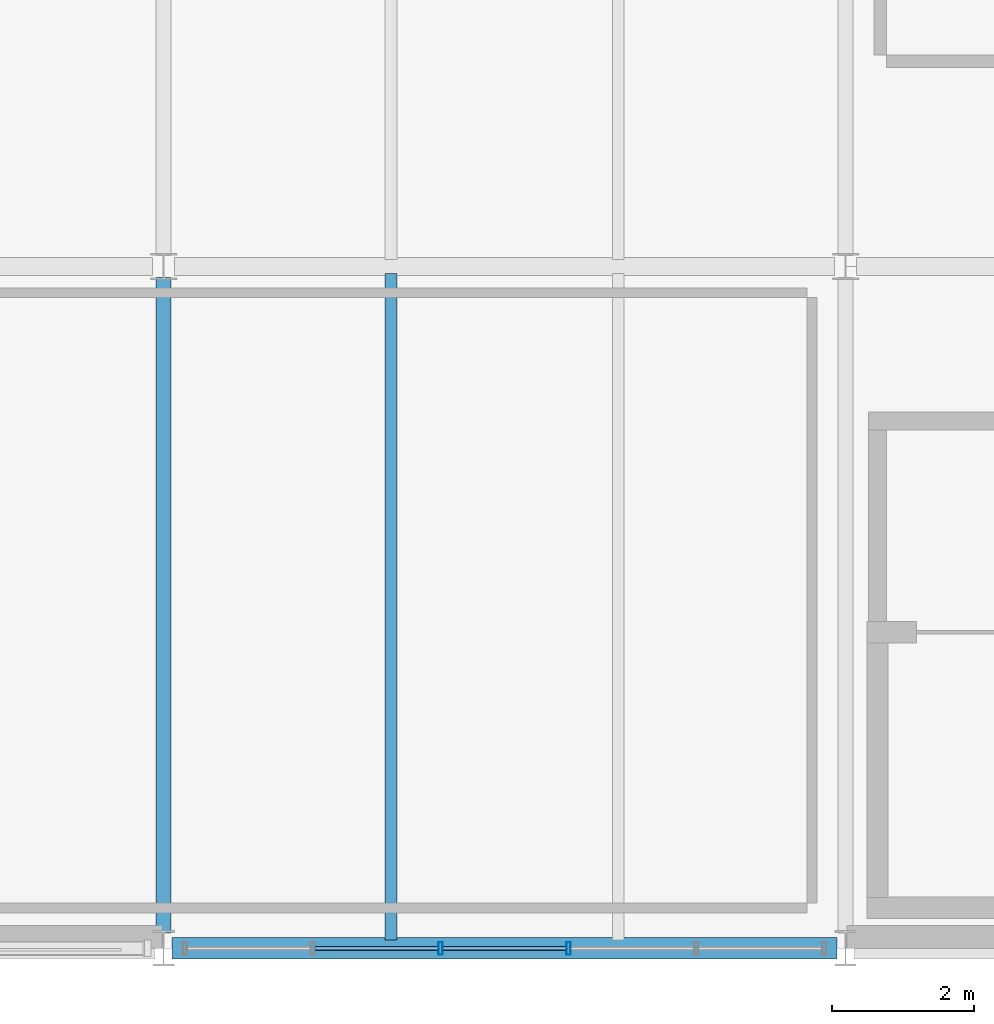
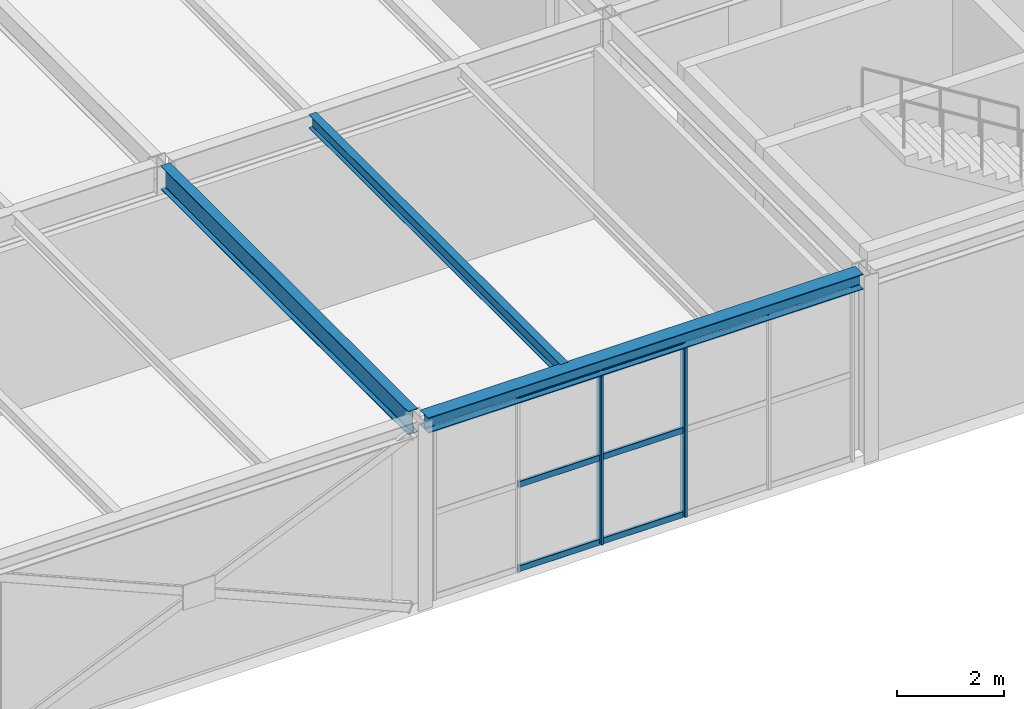
# One storey, part 17 of 170: 8 members, 3 beams, 1 element without a shape of its own.
"""IFC4 building model written with IfcOpenShell, lengths in metres."""

import ifcopenshell
import ifcopenshell.guid

model = None  # the IFC model being written
_history = None  # IfcOwnerHistory: only IFC2X3 demands one
_inside = {}  # id of a spatial element -> (the spatial element, [elements in it])
_under = {}  # id of a project, library or spatial element -> (it, [spatial elements below it])
_declared = {}  # id of a project -> (the project, [libraries it declares])
_typed = {}  # id of a type object -> (the type object, [elements of that type])
_made_of = {}  # id of a material, layer set ... -> (it, [elements and type objects made of it])


def new_model(schema):
    """Start an empty IFC model of exactly this schema.

    Asked for "IFC4X3", IfcOpenShell would pick the latest addendum, in which some entities
    have other attributes; the version numbers below select the first issue.
    IFC2X3 requires an IfcOwnerHistory on every rooted entity: one is made here for all.
    """
    global model, _history
    if schema == "IFC4X3":
        model = ifcopenshell.file(schema_version=(4, 3, 0, 0))
    else:
        model = ifcopenshell.file(schema=schema)
    _inside.clear()
    _under.clear()
    _declared.clear()
    _typed.clear()
    _made_of.clear()
    _history = None
    if model.schema == "IFC2X3":
        org = make("IfcOrganization", Name="unknown")
        user = make(
            "IfcPersonAndOrganization",
            ThePerson=make("IfcPerson", FamilyName="unknown"),
            TheOrganization=org,
        )
        app = make(
            "IfcApplication",
            ApplicationDeveloper=org,
            Version="unknown",
            ApplicationFullName="unknown",
            ApplicationIdentifier="unknown",
        )
        _history = make(
            "IfcOwnerHistory",
            OwningUser=user,
            OwningApplication=app,
            ChangeAction="ADDED",
            CreationDate=0,
        )
    return model


def make(cls, **values):
    """One entity of the class cls with the attributes given. An attribute that is None is left unset."""
    return model.create_entity(
        cls, **{name: value for name, value in values.items() if value is not None}
    )


def rooted(cls, **values):
    """An entity with a GlobalId (a new one), such as an element, a storey or a relation."""
    return make(cls, GlobalId=ifcopenshell.guid.new(), OwnerHistory=_history, **values)


def si_unit(unit_type, name, prefix=None):
    """IfcSIUnit, for example si_unit("LENGTHUNIT", "METRE", prefix="MILLI")."""
    return make("IfcSIUnit", UnitType=unit_type, Prefix=prefix, Name=name)


def assignment(units):
    """IfcUnitAssignment: the units of a project."""
    return None if units is None else make("IfcUnitAssignment", Units=units)


def point(xyz):
    """IfcCartesianPoint."""
    return None if xyz is None else make("IfcCartesianPoint", Coordinates=xyz)


def direction(xyz):
    """IfcDirection."""
    return None if xyz is None else make("IfcDirection", DirectionRatios=xyz)


def frame(location, z_axis=None, x_axis=None):
    """IfcAxis2Placement3D, a coordinate frame: its origin and axes. An axis left out is left unset."""
    return make(
        "IfcAxis2Placement3D",
        Location=point(location),
        Axis=direction(z_axis),
        RefDirection=direction(x_axis),
    )


def frame_2d(location, x_axis=None):
    """IfcAxis2Placement2D, a coordinate frame in the plane: its origin and x axis."""
    return make(
        "IfcAxis2Placement2D", Location=point(location), RefDirection=direction(x_axis)
    )


def origin():
    """The frame at (0, 0, 0) with its axes left unset."""
    return frame((0.0, 0.0, 0.0))


def origin_2d():
    """The frame at (0, 0) in the plane with its x axis left unset."""
    return frame_2d((0.0, 0.0))


def place(relative_to, where):
    """IfcLocalPlacement: puts the frame where relative to a parent placement (None: the world)."""
    return make(
        "IfcLocalPlacement", PlacementRelTo=relative_to, RelativePlacement=where
    )


def context(
    kind, dimensions, precision=None, world=None, true_north=None, identifier=None
):
    """IfcGeometricRepresentationContext, for example the 3D "Model" context."""
    return make(
        "IfcGeometricRepresentationContext",
        ContextIdentifier=identifier,
        ContextType=kind,
        CoordinateSpaceDimension=dimensions,
        Precision=precision,
        WorldCoordinateSystem=world,
        TrueNorth=true_north,
    )


def subcontext(parent, identifier, kind, view, scale=None):
    """IfcGeometricRepresentationSubContext, for example "Body" below "Model"."""
    return make(
        "IfcGeometricRepresentationSubContext",
        ContextIdentifier=identifier,
        ContextType=kind,
        ParentContext=parent,
        TargetScale=scale,
        TargetView=view,
    )


def project(units=None, contexts=None):
    """IfcProject with its units and contexts."""
    return rooted(
        "IfcProject",
        Name="project",
        RepresentationContexts=contexts,
        UnitsInContext=assignment(units),
    )


def spatial(cls, under=None, at=None, **own):
    """A site, building, storey or space (cls), placed at a placement, below another one or the project."""
    s = rooted(cls, ObjectPlacement=at, **own)
    if under is not None:
        _under.setdefault(under.id(), (under, []))[1].append(s)
    return s


def profile(cls, at=None, kind="AREA", **sizes):
    """A parametric profile (cls). Its sizes go by their IFC names, for example OverallWidth=200.0."""
    return make(cls, ProfileType=kind, Position=at, **sizes)


def hollow_rectangle(**sizes):
    """IfcRectangleHollowProfileDef."""
    return profile("IfcRectangleHollowProfileDef", **sizes)


def i_section(**sizes):
    """IfcIShapeProfileDef."""
    return profile("IfcIShapeProfileDef", **sizes)


def extrude(swept, where, along, depth):
    """IfcExtrudedAreaSolid: the profile swept, set in the frame where, extruded along a direction by depth."""
    return make(
        "IfcExtrudedAreaSolid",
        SweptArea=swept,
        Position=where,
        ExtrudedDirection=direction(along),
        Depth=depth,
    )


def shape(context_of_items, identifier, shape_type, items):
    """IfcShapeRepresentation: the items that make up one representation, for example the "Body"."""
    return make(
        "IfcShapeRepresentation",
        ContextOfItems=context_of_items,
        RepresentationIdentifier=identifier,
        RepresentationType=shape_type,
        Items=items,
    )


def material(Name=None, Category=None):
    """IfcMaterial."""
    return make("IfcMaterial", Name=Name, Category=Category)


def material_profile(
    of_material, cross_section, Name=None, Category=None, Priority=None
):
    """IfcMaterialProfile: a cross section and its material."""
    return make(
        "IfcMaterialProfile",
        Name=Name,
        Material=of_material,
        Profile=cross_section,
        Priority=Priority,
        Category=Category,
    )


def profile_set(profiles, Name=None, composite=None):
    """IfcMaterialProfileSet."""
    return make(
        "IfcMaterialProfileSet",
        Name=Name,
        MaterialProfiles=profiles,
        CompositeProfile=composite,
    )


def made_of(thing, what):
    """Note that an element or type object is made of a material, layer set ...; save() writes the relation."""
    if what is not None:
        _made_of.setdefault(what.id(), (what, []))[1].append(thing)
    return thing


def type_object(cls, material=None, **own):
    """A type object (cls), such as IfcWallType, which elements share."""
    return made_of(rooted(cls, **own), material)


def element(
    cls,
    number,
    at=None,
    inside=None,
    cuts=None,
    type_object=None,
    material=None,
    context=None,
    identifier="Body",
    shape_type=None,
    held_by="IfcProductDefinitionShape",
    body=None,
    shapes=None,
    **own,
):
    """One element of the class cls, such as IfcWall. Its Tag is "e" and its number.

    at: its placement. inside: the storey or other place that contains it. cuts: it is an
    opening in that element (IfcRelVoidsElement). A single representation is given by context,
    identifier, shape_type and body (its items); several are given by shapes. held_by: the class
    of the entity that holds the representations. save() writes the other relations.
    """
    e = rooted(cls, Tag="e%d" % number, ObjectPlacement=at, **own)
    if body is not None:
        shapes = [shape(context, identifier, shape_type, body)]
    if shapes is not None:
        e.Representation = make(held_by, Representations=shapes)
    if inside is not None:
        _inside.setdefault(inside.id(), (inside, []))[1].append(e)
    if cuts is not None:
        rooted(
            "IfcRelVoidsElement", RelatingBuildingElement=cuts, RelatedOpeningElement=e
        )
    if type_object is not None:
        _typed.setdefault(type_object.id(), (type_object, []))[1].append(e)
    return made_of(e, material)


def aggregate(whole, parts):
    """IfcRelAggregates: a whole, such as a stair, and the parts it consists of."""
    return rooted("IfcRelAggregates", RelatingObject=whole, RelatedObjects=parts)


def save(model, path):
    """Write the relations noted so far, then the file.

    IfcRelAggregates (storeys below a building ...), IfcRelContainedInSpatialStructure (elements
    in a storey), IfcRelDefinesByType, IfcRelAssociatesMaterial and IfcRelDeclares: one each for
    every whole, place, type object, material and project.
    """
    for whole, parts in _under.values():
        aggregate(whole, parts)
    for where, things in _inside.values():
        rooted(
            "IfcRelContainedInSpatialStructure",
            RelatedElements=things,
            RelatingStructure=where,
        )
    for kind, things in _typed.values():
        rooted("IfcRelDefinesByType", RelatedObjects=things, RelatingType=kind)
    for what, things in _made_of.values():
        rooted("IfcRelAssociatesMaterial", RelatedObjects=things, RelatingMaterial=what)
    for by, libraries in _declared.values():
        rooted("IfcRelDeclares", RelatingContext=by, RelatedDefinitions=libraries)
    model.write(path)


model = new_model("IFC4")

# Units and contexts
model_context = context("Model", 3, precision=1e-05, world=origin(), true_north=direction((0.0, 1.0)))
body_context = subcontext(model_context, "Body", "Model", "MODEL_VIEW")
ifc_project = project(units=[si_unit("LENGTHUNIT", "METRE"), si_unit("AREAUNIT", "SQUARE_METRE"), si_unit("VOLUMEUNIT", "CUBIC_METRE"), si_unit("PLANEANGLEUNIT", "RADIAN"), si_unit("MASSUNIT", "GRAM", prefix="KILO")], contexts=[model_context])

# Site, building, storey
site_placement = place(None, origin())
site = spatial("IfcSite", under=ifc_project, at=site_placement, CompositionType="ELEMENT")
building_placement = place(site_placement, origin())
building = spatial("IfcBuilding", under=site, at=building_placement, Name="Coralgate Yard Interchange", CompositionType="ELEMENT")
storey_placement = place(building_placement, frame((0.0, 0.0, 6.0)))
storey = spatial("IfcBuildingStorey", under=building, at=storey_placement, Name="L01", CompositionType="ELEMENT", Elevation=6.0)

# Beams
ifc_material_1 = material(Name="Structural steel S355J2", Category="steel")
ifc_material_profile_1 = material_profile(ifc_material_1, i_section(OverallWidth=0.209228515625, OverallDepth=0.533203125, WebThickness=0.010009765625, FlangeThickness=0.015625, FilletRadius=0.0126953125, at=origin_2d()), Name="UB 533x210x92")
ifc_profile_set_1 = profile_set([ifc_material_profile_1], Name="Structural steel S355J2")
beam_type_1 = type_object("IfcBeamType", Name="BM-SB-1", PredefinedType="BEAM", material=ifc_profile_set_1)
beam_1_placement = place(storey_placement, frame((9.60009765625, 0.219970703125, 3.9833984375), z_axis=(0.0, 1.0, 0.0), x_axis=(-1.0, 0.0, 0.0)))
element("IfcBeam", 1, at=beam_1_placement, inside=storey, type_object=beam_type_1, Name="L01 primary grid girder X1 Y0-1", PredefinedType="BEAM", context=body_context, shape_type="SweptSolid", body=[
    extrude(i_section(OverallWidth=0.209228515625, OverallDepth=0.533203125, WebThickness=0.010009765625, FlangeThickness=0.015625, FilletRadius=0.0126953125, at=origin_2d()), origin(), (0.0, 0.0, 1.0), 9.225830078125),
])
ifc_material_profile_2 = material_profile(ifc_material_1, i_section(OverallWidth=0.1650390625, OverallDepth=0.303466796875, WebThickness=0.006103515625, FlangeThickness=0.01025390625, FilletRadius=0.0087890625, at=origin_2d()), Name="UB 305x165x40")
ifc_profile_set_2 = profile_set([ifc_material_profile_2], Name="Structural steel S355J2")
beam_type_2 = type_object("IfcBeamType", Name="BM-SJ-1", PredefinedType="JOIST", material=ifc_profile_set_2)
beam_2_placement = place(storey_placement, frame((12.800048828125, 0.1201171875, 4.098388671875), z_axis=(0.0, 1.0, 0.0), x_axis=(-1.0, 0.0, 0.0)))
element("IfcBeam", 2, at=beam_2_placement, inside=storey, type_object=beam_type_2, Name="L01 composite floor joist 1-0-1", PredefinedType="JOIST", context=body_context, shape_type="SweptSolid", body=[
    extrude(i_section(OverallWidth=0.1650390625, OverallDepth=0.303466796875, WebThickness=0.006103515625, FlangeThickness=0.01025390625, FilletRadius=0.0087890625, at=origin_2d()), origin(), (0.0, 0.0, 1.0), 9.383056640625),
])
ifc_material_profile_3 = material_profile(ifc_material_1, i_section(OverallWidth=0.300048828125, OverallDepth=0.35009765625, WebThickness=0.010009765625, FlangeThickness=0.017578125, FilletRadius=0.027099609375, at=origin_2d()), Name="HEA 360")
ifc_profile_set_3 = profile_set([ifc_material_profile_3], Name="Structural steel S355J2")
beam_type_3 = type_object("IfcBeamType", Name="BM-SP-1", PredefinedType="SPANDREL", material=ifc_profile_set_3)
beam_3_placement = place(storey_placement, frame((9.719970703125, 0.0, 4.074951171875), z_axis=(1.0, 0.0, 0.0), x_axis=(0.0, 1.0, 0.0)))
element("IfcBeam", 3, at=beam_3_placement, inside=storey, type_object=beam_type_3, Name="L01 primary grid beam Y0 X1-2", PredefinedType="SPANDREL", context=body_context, shape_type="SweptSolid", body=[
    extrude(i_section(OverallWidth=0.300048828125, OverallDepth=0.35009765625, WebThickness=0.010009765625, FlangeThickness=0.017578125, FilletRadius=0.027099609375, at=origin_2d()), origin(), (0.0, 0.0, 1.0), 9.360107421875),
])

# Curtain wall, members
ifc_material_2 = material(Name="Anodised coastal aluminium and solar-control low-E glass", Category="aluminium")
curtain_wall_type = type_object("IfcCurtainWallType", Name="CW-CW-L01-A", PredefinedType="NOTDEFINED", material=ifc_material_2)
curtain_wall_placement = place(storey_placement, origin())
curtain_wall = element("IfcCurtainWall", 4, at=curtain_wall_placement, inside=storey, type_object=curtain_wall_type, Name="L01 unitised curtain wall CW-L01-S-01-00", PredefinedType="NOTDEFINED")
ifc_material_3 = material(Name="Anodised coastal aluminium 6063-T6", Category="aluminium")
ifc_material_profile_4 = material_profile(ifc_material_3, hollow_rectangle(XDim=0.06005859375, YDim=0.179931640625, WallThickness=0.00390625, InnerFilletRadius=0.00390625, OuterFilletRadius=0.008056640625, at=origin_2d()), Name="ALU 60x180x4")
ifc_profile_set_4 = profile_set([ifc_material_profile_4], Name="Anodised coastal aluminium 6063-T6")
member_type_1 = type_object("IfcMemberType", Name="MB-MUL-180", PredefinedType="MULLION", material=ifc_profile_set_4)
member_1_placement = place(storey_placement, frame((15.300048828125, 0.0, 0.0), z_axis=(0.0, 0.0, 1.0), x_axis=(1.0, 0.0, 0.0)))
member_1 = element("IfcMember", 5, at=member_1_placement, type_object=member_type_1, Name="CW-L01-S-01-00 vertical mullion 3", PredefinedType="MULLION", context=body_context, shape_type="SweptSolid", body=[
    extrude(hollow_rectangle(XDim=0.06005859375, YDim=0.179931640625, WallThickness=0.00390625, InnerFilletRadius=0.00390625, OuterFilletRadius=0.008056640625, at=origin_2d()), origin(), (0.0, 0.0, 1.0), 3.89990234375),
])
member_2_placement = place(storey_placement, frame((13.5, 0.0, 0.0), z_axis=(0.0, 0.0, 1.0), x_axis=(1.0, 0.0, 0.0)))
member_2 = element("IfcMember", 6, at=member_2_placement, type_object=member_type_1, Name="CW-L01-S-01-00 vertical mullion 4", PredefinedType="MULLION", context=body_context, shape_type="SweptSolid", body=[
    extrude(hollow_rectangle(XDim=0.06005859375, YDim=0.179931640625, WallThickness=0.00390625, InnerFilletRadius=0.00390625, OuterFilletRadius=0.008056640625, at=origin_2d()), origin(), (0.0, 0.0, 1.0), 3.89990234375),
])
ifc_material_profile_5 = material_profile(ifc_material_3, hollow_rectangle(XDim=0.06005859375, YDim=0.139892578125, WallThickness=0.00341796875, InnerFilletRadius=0.00341796875, OuterFilletRadius=0.007080078125, at=origin_2d()), Name="ALU 60x140x3.5")
ifc_profile_set_5 = profile_set([ifc_material_profile_5], Name="Anodised coastal aluminium 6063-T6")
member_type_2 = type_object("IfcMemberType", Name="MB-TRN-140", PredefinedType="USERDEFINED", material=ifc_profile_set_5)
member_3_placement = place(storey_placement, frame((15.27001953125, 0.0, 0.034912109375), z_axis=(-1.0, 0.0, 0.0), x_axis=(0.0, -1.0, 0.0)))
member_3 = element("IfcMember", 7, at=member_3_placement, type_object=member_type_2, Name="CW-L01-S-01-00 horizontal transom 3-1", ObjectType="TRANSOM", PredefinedType="USERDEFINED", context=body_context, shape_type="SweptSolid", body=[
    extrude(hollow_rectangle(XDim=0.06005859375, YDim=0.139892578125, WallThickness=0.00341796875, InnerFilletRadius=0.00341796875, OuterFilletRadius=0.007080078125, at=origin_2d()), origin(), (0.0, 0.0, 1.0), 1.739990234375),
])
member_4_placement = place(storey_placement, frame((15.27001953125, 0.0, 1.949951171875), z_axis=(-1.0, 0.0, 0.0), x_axis=(0.0, -1.0, 0.0)))
member_4 = element("IfcMember", 8, at=member_4_placement, type_object=member_type_2, Name="CW-L01-S-01-00 horizontal transom 3-2", ObjectType="TRANSOM", PredefinedType="USERDEFINED", context=body_context, shape_type="SweptSolid", body=[
    extrude(hollow_rectangle(XDim=0.06005859375, YDim=0.139892578125, WallThickness=0.00341796875, InnerFilletRadius=0.00341796875, OuterFilletRadius=0.007080078125, at=origin_2d()), origin(), (0.0, 0.0, 1.0), 1.739990234375),
])
member_5_placement = place(storey_placement, frame((15.27001953125, 0.0, 3.864990234375), z_axis=(-1.0, 0.0, 0.0), x_axis=(0.0, -1.0, 0.0)))
member_5 = element("IfcMember", 9, at=member_5_placement, type_object=member_type_2, Name="CW-L01-S-01-00 horizontal transom 3-3", ObjectType="TRANSOM", PredefinedType="USERDEFINED", context=body_context, shape_type="SweptSolid", body=[
    extrude(hollow_rectangle(XDim=0.06005859375, YDim=0.139892578125, WallThickness=0.00341796875, InnerFilletRadius=0.00341796875, OuterFilletRadius=0.007080078125, at=origin_2d()), origin(), (0.0, 0.0, 1.0), 1.739990234375),
])
member_6_placement = place(storey_placement, frame((13.469970703125, 0.0, 0.034912109375), z_axis=(-1.0, 0.0, 0.0), x_axis=(0.0, -1.0, 0.0)))
member_6 = element("IfcMember", 10, at=member_6_placement, type_object=member_type_2, Name="CW-L01-S-01-00 horizontal transom 4-1", ObjectType="TRANSOM", PredefinedType="USERDEFINED", context=body_context, shape_type="SweptSolid", body=[
    extrude(hollow_rectangle(XDim=0.06005859375, YDim=0.139892578125, WallThickness=0.00341796875, InnerFilletRadius=0.00341796875, OuterFilletRadius=0.007080078125, at=origin_2d()), origin(), (0.0, 0.0, 1.0), 1.739990234375),
])
member_7_placement = place(storey_placement, frame((13.469970703125, 0.0, 1.949951171875), z_axis=(-1.0, 0.0, 0.0), x_axis=(0.0, -1.0, 0.0)))
member_7 = element("IfcMember", 11, at=member_7_placement, type_object=member_type_2, Name="CW-L01-S-01-00 horizontal transom 4-2", ObjectType="TRANSOM", PredefinedType="USERDEFINED", context=body_context, shape_type="SweptSolid", body=[
    extrude(hollow_rectangle(XDim=0.06005859375, YDim=0.139892578125, WallThickness=0.00341796875, InnerFilletRadius=0.00341796875, OuterFilletRadius=0.007080078125, at=origin_2d()), origin(), (0.0, 0.0, 1.0), 1.739990234375),
])
member_8_placement = place(storey_placement, frame((13.469970703125, 0.0, 3.864990234375), z_axis=(-1.0, 0.0, 0.0), x_axis=(0.0, -1.0, 0.0)))
member_8 = element("IfcMember", 12, at=member_8_placement, type_object=member_type_2, Name="CW-L01-S-01-00 horizontal transom 4-3", ObjectType="TRANSOM", PredefinedType="USERDEFINED", context=body_context, shape_type="SweptSolid", body=[
    extrude(hollow_rectangle(XDim=0.06005859375, YDim=0.139892578125, WallThickness=0.00341796875, InnerFilletRadius=0.00341796875, OuterFilletRadius=0.007080078125, at=origin_2d()), origin(), (0.0, 0.0, 1.0), 1.739990234375),
])
aggregate(curtain_wall, [member_1, member_2, member_3, member_4, member_5, member_6, member_7, member_8])

save(model, "model.ifc")
